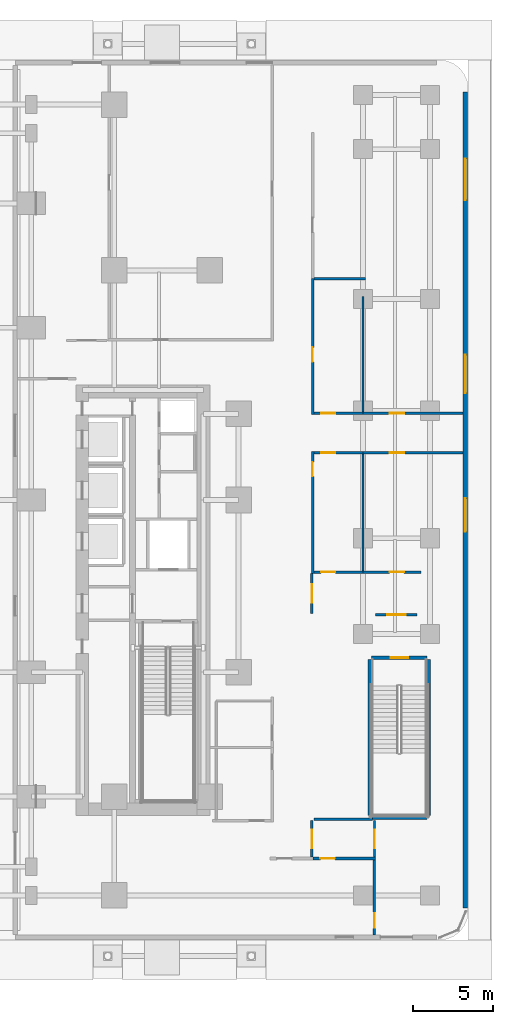
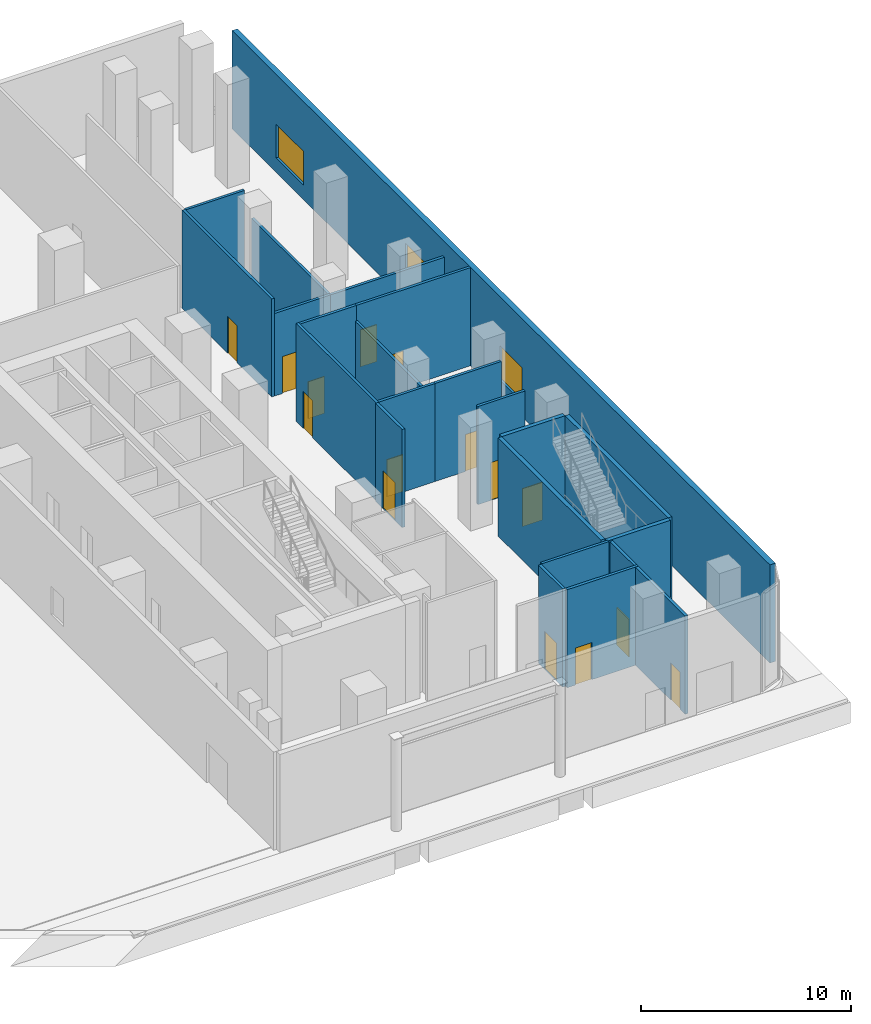
# One storey, part 13 of 22: 23 walls, 15 doors, 3 windows, 18 openings.
"""IFC4 building model written with IfcOpenShell, lengths in metres."""

from ifc_helpers import new_model, si_unit, direction, frame, frame_2d, origin, place, context, subcontext, project, spatial, rectangle, extrude, material, layer, layer_set, type_object, element, fill, save


model = new_model("IFC4")

# Units and contexts
model_context = context("Model", 3, precision=1e-05, world=origin(), true_north=direction((0.0, 1.0)))
body_context = subcontext(model_context, "Body", "Model", "MODEL_VIEW")
ifc_project = project(units=[si_unit("LENGTHUNIT", "METRE"), si_unit("AREAUNIT", "SQUARE_METRE"), si_unit("VOLUMEUNIT", "CUBIC_METRE"), si_unit("PLANEANGLEUNIT", "RADIAN"), si_unit("MASSUNIT", "GRAM", prefix="KILO")], contexts=[model_context])

# Site, building, storey
site_placement = place(None, origin())
site = spatial("IfcSite", under=ifc_project, at=site_placement, CompositionType="ELEMENT")
building_placement = place(site_placement, origin())
building = spatial("IfcBuilding", under=site, at=building_placement, Name="Khairoan Windgate Tower", CompositionType="ELEMENT")
storey_placement = place(building_placement, origin())
storey = spatial("IfcBuildingStorey", under=building, at=storey_placement, Name="L01", CompositionType="ELEMENT", Elevation=0.0)

# Wall, openings, windows
ifc_material_1 = material(Name="Precast Concrete C40/50", Category="concrete")
ifc_layer_1 = layer(ifc_material_1, 0.300048828125, Name="Precast Concrete C40/50")
ifc_layer_set_1 = layer_set([ifc_layer_1], Name="Precast Concrete C40/50")
wall_type_1 = type_object("IfcWallType", Name="Insulated Precast Spandrel Facade Wall EW1 300mm", PredefinedType="STANDARD", material=ifc_layer_set_1)
wall_1_placement = place(storey_placement, frame((36.419921875, 25.60009765625, 0.0), z_axis=(0.0, 0.0, 1.0), x_axis=(0.0, -1.0, 0.0)))
wall_1 = element("IfcWall", 1, at=wall_1_placement, inside=storey, type_object=wall_type_1, Name="Ground Facade Wall EW-L01-EE", PredefinedType="STANDARD", context=body_context, shape_type="SweptSolid", body=[
    extrude(rectangle(XDim=51.2001953125, YDim=0.300048828125, at=frame_2d((25.60009765625, 0.0))), origin(), (0.0, 0.0, 1.0), 5.699951171875),
])
opening_1_placement = place(wall_1_placement, frame((4.199951171875, 0.0, 0.85009765625)))
opening_1 = element("IfcOpeningElement", 2, at=opening_1_placement, cuts=wall_1, Name="Opening WN-08", PredefinedType="OPENING", context=body_context, shape_type="SweptSolid", body=[
    extrude(rectangle(XDim=2.60009765625, YDim=1.949951171875, at=frame_2d((1.300048828125, 0.97509765625))), frame((0.0, 0.159912109375, 0.0), z_axis=(0.0, -1.0, 0.0), x_axis=(1.0, 0.0, 0.0)), (0.0, 0.0, 1.0), 0.320068359375),
])
opening_2_placement = place(wall_1_placement, frame((16.5, 0.0, 0.85009765625)))
opening_2 = element("IfcOpeningElement", 3, at=opening_2_placement, cuts=wall_1, Name="Opening WN-01", PredefinedType="OPENING", context=body_context, shape_type="SweptSolid", body=[
    extrude(rectangle(XDim=2.39990234375, YDim=2.5, at=frame_2d((1.199951171875, 1.25))), frame((0.0, 0.159912109375, 0.0), z_axis=(0.0, -1.0, 0.0), x_axis=(1.0, 0.0, 0.0)), (0.0, 0.0, 1.0), 0.320068359375),
])
opening_3_placement = place(wall_1_placement, frame((25.5, 0.0, 0.85009765625)))
opening_3 = element("IfcOpeningElement", 4, at=opening_3_placement, cuts=wall_1, Name="Opening WN-02", PredefinedType="OPENING", context=body_context, shape_type="SweptSolid", body=[
    extrude(rectangle(XDim=2.10009765625, YDim=2.0, at=frame_2d((1.050048828125, 1.0))), frame((0.0, 0.159912109375, 0.0), z_axis=(0.0, -1.0, 0.0), x_axis=(1.0, 0.0, 0.0)), (0.0, 0.0, 1.0), 0.320068359375),
])
ifc_material_2 = material(Name="Low-E Solar Control Laminated Glass", Category="glass")
window_type_1 = type_object("IfcWindowType", Name="Window WN-01 2400x2500", PartitioningType="TRIPLE_PANEL_HORIZONTAL", PredefinedType="WINDOW", material=ifc_material_2)
window_1_placement = place(opening_2_placement, origin())
window_1 = element("IfcWindow", 5, at=window_1_placement, inside=storey, type_object=window_type_1, Name="L01 Facade Window 09", OverallHeight=2.5, OverallWidth=2.39990234375, PartitioningType="SINGLE_PANEL", PredefinedType="WINDOW", context=body_context, shape_type="SweptSolid", body=[
    extrude(rectangle(XDim=2.39990234375, YDim=2.5, at=frame_2d((1.199951171875, 1.25))), frame((0.0, 0.030029296875, 0.0), z_axis=(0.0, -1.0, 0.0), x_axis=(1.0, 0.0, 0.0)), (0.0, 0.0, 1.0), 0.06005859375),
])
fill(opening_2, window_1)
ifc_material_3 = material(Name="Low-E Solar Control Laminated Glass", Category="glass")
window_type_2 = type_object("IfcWindowType", Name="Window WN-02 2100x2000", PartitioningType="DOUBLE_PANEL_VERTICAL", PredefinedType="WINDOW", material=ifc_material_3)
window_2_placement = place(opening_3_placement, origin())
window_2 = element("IfcWindow", 6, at=window_2_placement, inside=storey, type_object=window_type_2, Name="L01 Facade Window 10", OverallHeight=2.0, OverallWidth=2.10009765625, PartitioningType="SINGLE_PANEL", PredefinedType="WINDOW", context=body_context, shape_type="SweptSolid", body=[
    extrude(rectangle(XDim=2.10009765625, YDim=2.0, at=frame_2d((1.050048828125, 1.0))), frame((0.0, 0.030029296875, 0.0), z_axis=(0.0, -1.0, 0.0), x_axis=(1.0, 0.0, 0.0)), (0.0, 0.0, 1.0), 0.06005859375),
])
fill(opening_3, window_2)
ifc_material_4 = material(Name="Low-E Solar Control Laminated Glass", Category="glass")
window_type_3 = type_object("IfcWindowType", Name="Window WN-08 2600x1950", PartitioningType="DOUBLE_PANEL_VERTICAL", PredefinedType="WINDOW", material=ifc_material_4)
window_3_placement = place(opening_1_placement, origin())
window_3 = element("IfcWindow", 7, at=window_3_placement, inside=storey, type_object=window_type_3, Name="L01 Facade Window 08", OverallHeight=1.949951171875, OverallWidth=2.60009765625, PartitioningType="SINGLE_PANEL", PredefinedType="WINDOW", context=body_context, shape_type="SweptSolid", body=[
    extrude(rectangle(XDim=2.60009765625, YDim=1.949951171875, at=frame_2d((1.300048828125, 0.97509765625))), frame((0.0, 0.030029296875, 0.0), z_axis=(0.0, -1.0, 0.0), x_axis=(1.0, 0.0, 0.0)), (0.0, 0.0, 1.0), 0.06005859375),
])
fill(opening_1, window_3)

# Walls
ifc_material_5 = material(Name="Acoustic Fire-Rated Gypsum Partition", Category="gypsum")
ifc_layer_2 = layer(ifc_material_5, 0.139892578125, Name="Acoustic Fire-Rated Gypsum Partition")
ifc_layer_set_2 = layer_set([ifc_layer_2], Name="Acoustic Fire-Rated Gypsum Partition")
wall_type_2 = type_object("IfcWallType", Name="Inter-Tenancy Compartment Wall", PredefinedType="PARTITIONING", material=ifc_layer_set_2)
wall_2_placement = place(storey_placement, frame((30.0, -4.445068359375, 0.0), z_axis=(0.0, 0.0, 1.0), x_axis=(0.0, 1.0, 0.0)))
element("IfcWall", 8, at=wall_2_placement, inside=storey, type_object=wall_type_2, Name="L01 Interior Partition 044", PredefinedType="PARTITIONING", context=body_context, shape_type="SweptSolid", body=[
    extrude(rectangle(XDim=7.330078125, YDim=0.139892578125, at=frame_2d((3.6650390625, 0.0))), origin(), (0.0, 0.0, 1.0), 4.800048828125),
])
wall_3_placement = place(storey_placement, frame((30.0, 5.514892578125, 0.0), z_axis=(0.0, 0.0, 1.0), x_axis=(0.0, 1.0, 0.0)))
element("IfcWall", 9, at=wall_3_placement, inside=storey, type_object=wall_type_2, Name="L01 Interior Partition 045", PredefinedType="PARTITIONING", context=body_context, shape_type="SweptSolid", body=[
    extrude(rectangle(XDim=7.2451171875, YDim=0.139892578125, at=frame_2d((3.62255859375, 0.0))), origin(), (0.0, 0.0, 1.0), 4.800048828125),
])
wall_4_placement = place(storey_placement, frame((26.9150390625, 13.8798828125, 0.0), z_axis=(0.0, 0.0, 1.0), x_axis=(1.0, 0.0, 0.0)))
element("IfcWall", 10, at=wall_4_placement, inside=storey, type_object=wall_type_2, Name="L01 Interior Partition 046", PredefinedType="PARTITIONING", context=body_context, shape_type="SweptSolid", body=[
    extrude(rectangle(XDim=3.244873046875, YDim=0.139892578125, at=frame_2d((1.62255859375, 0.0))), origin(), (0.0, 0.0, 1.0), 5.699951171875),
])

# Wall, opening, door
ifc_material_6 = material(Name="Concrete C40/50", Category="concrete")
ifc_layer_3 = layer(ifc_material_6, 0.159912109375, Name="Concrete C40/50")
ifc_layer_set_3 = layer_set([ifc_layer_3], Name="Concrete C40/50")
wall_type_3 = type_object("IfcWallType", Name="Plant and Refuge Compartment Wall", PredefinedType="PARTITIONING", material=ifc_layer_set_3)
wall_5_placement = place(storey_placement, frame((26.875, -22.47998046875, 0.0), z_axis=(0.0, 0.0, 1.0), x_axis=(1.0, 0.0, 0.0)))
wall_5 = element("IfcWall", 11, at=wall_5_placement, inside=storey, type_object=wall_type_3, Name="L01 Interior Partition 039", PredefinedType="PARTITIONING", context=body_context, shape_type="SweptSolid", body=[
    extrude(rectangle(XDim=3.925048828125, YDim=0.159912109375, at=frame_2d((1.96240234375, 0.0))), origin(), (0.0, 0.0, 1.0), 5.699951171875),
])
opening_4_placement = place(wall_5_placement, frame((0.4599609375, 0.0, 0.0)))
opening_4 = element("IfcOpeningElement", 12, at=opening_4_placement, cuts=wall_5, Name="Opening FD-ENT", PredefinedType="OPENING", context=body_context, shape_type="SweptSolid", body=[
    extrude(rectangle(XDim=0.89990234375, YDim=2.14990234375, at=frame_2d((0.449951171875, 1.074951171875))), frame((0.0, 0.08984375, 0.0), z_axis=(0.0, -1.0, 0.0), x_axis=(1.0, 0.0, 0.0)), (0.0, 0.0, 1.0), 0.179931640625),
])
ifc_material_7 = material(Name="Timber Fire-Rated Core", Category="wood")
door_type_1 = type_object("IfcDoorType", Name="Unit and Office Fire Entrance Door FD-ENT 900x2150", OperationType="NOTDEFINED", PredefinedType="DOOR", material=ifc_material_7)
door_1_placement = place(opening_4_placement, origin())
door_1 = element("IfcDoor", 13, at=door_1_placement, inside=storey, type_object=door_type_1, Name="L01 L01-54-L01-59 Door", OperationType="SINGLE_SWING_RIGHT", OverallHeight=2.14990234375, OverallWidth=0.89990234375, PredefinedType="DOOR", context=body_context, shape_type="SweptSolid", body=[
    extrude(rectangle(XDim=0.89990234375, YDim=2.14990234375, at=frame_2d((0.449951171875, 1.074951171875))), frame((0.0, 0.02490234375, 0.0), z_axis=(0.0, -1.0, 0.0), x_axis=(1.0, 0.0, 0.0)), (0.0, 0.0, 1.0), 0.050048828125),
])
fill(opening_4, door_1)

wall_6_placement = place(storey_placement, frame((30.719970703125, -27.27001953125, 0.0), z_axis=(0.0, 0.0, 1.0), x_axis=(0.0, 1.0, 0.0)))
wall_6 = element("IfcWall", 14, at=wall_6_placement, inside=storey, type_object=wall_type_3, Name="L01 Interior Partition 040", PredefinedType="PARTITIONING", context=body_context, shape_type="SweptSolid", body=[
    extrude(rectangle(XDim=4.7099609375, YDim=0.159912109375, at=frame_2d((2.35498046875, 0.0))), origin(), (0.0, 0.0, 1.0), 5.699951171875),
])
opening_5_placement = place(wall_6_placement, frame((0.4599609375, 0.0, 0.0)))
opening_5 = element("IfcOpeningElement", 15, at=opening_5_placement, cuts=wall_6, Name="Opening FD-ENT", PredefinedType="OPENING", context=body_context, shape_type="SweptSolid", body=[
    extrude(rectangle(XDim=0.89990234375, YDim=2.14990234375, at=frame_2d((0.449951171875, 1.074951171875))), frame((0.0, 0.08984375, 0.0), z_axis=(0.0, -1.0, 0.0), x_axis=(1.0, 0.0, 0.0)), (0.0, 0.0, 1.0), 0.179931640625),
])
door_2_placement = place(opening_5_placement, origin())
door_2 = element("IfcDoor", 16, at=door_2_placement, inside=storey, type_object=door_type_1, Name="L01 L01-55-L01-59 Door", OperationType="SINGLE_SWING_LEFT", OverallHeight=2.14990234375, OverallWidth=0.89990234375, PredefinedType="DOOR", context=body_context, shape_type="SweptSolid", body=[
    extrude(rectangle(XDim=0.89990234375, YDim=2.14990234375, at=frame_2d((0.449951171875, 1.074951171875))), frame((0.0, 0.02490234375, 0.0), z_axis=(0.0, -1.0, 0.0), x_axis=(1.0, 0.0, 0.0)), (0.0, 0.0, 1.0), 0.050048828125),
])
fill(opening_5, door_2)

ifc_material_8 = material(Name="Acoustic Fire-Rated Gypsum Partition", Category="gypsum")
ifc_layer_4 = layer(ifc_material_8, 0.14990234375, Name="Acoustic Fire-Rated Gypsum Partition")
ifc_layer_set_4 = layer_set([ifc_layer_4], Name="Acoustic Fire-Rated Gypsum Partition")
wall_type_4 = type_object("IfcWallType", Name="Rated Corridor Partition Wall", PredefinedType="PARTITIONING", material=ifc_layer_set_4)
wall_7_placement = place(storey_placement, frame((30.800048828125, -7.199951171875, 0.0), z_axis=(0.0, 0.0, 1.0), x_axis=(1.0, 0.0, 0.0)))
wall_7 = element("IfcWall", 17, at=wall_7_placement, inside=storey, type_object=wall_type_4, Name="L01 Protected Exit Wall PW-EX-S3A-L01", PredefinedType="PARTITIONING", context=body_context, shape_type="SweptSolid", body=[
    extrude(rectangle(XDim=2.599853515625, YDim=0.14990234375, at=frame_2d((1.2998046875, 0.0))), origin(), (0.0, 0.0, 1.0), 5.699951171875),
])
opening_6_placement = place(wall_7_placement, frame((0.72509765625, 0.0, 0.0)))
opening_6 = element("IfcOpeningElement", 18, at=opening_6_placement, cuts=wall_7, Name="Opening FD-FFL", PredefinedType="OPENING", context=body_context, shape_type="SweptSolid", body=[
    extrude(rectangle(XDim=1.14990234375, YDim=2.199951171875, at=frame_2d((0.574951171875, 1.10009765625))), frame((0.0, 0.0849609375, 0.0), z_axis=(0.0, -1.0, 0.0), x_axis=(1.0, 0.0, 0.0)), (0.0, 0.0, 1.0), 0.169921875),
])
ifc_material_9 = material(Name="Steel S355", Category="steel")
door_type_2 = type_object("IfcDoorType", Name="Firefighting Lobby Fire Door FD-FFL 1150x2200", OperationType="NOTDEFINED", PredefinedType="DOOR", material=ifc_material_9)
door_3_placement = place(opening_6_placement, origin())
door_3 = element("IfcDoor", 19, at=door_3_placement, inside=storey, type_object=door_type_2, Name="L01 Stair ST3 Vestibule Exit Fire Door", OperationType="SINGLE_SWING_RIGHT", OverallHeight=2.199951171875, OverallWidth=1.14990234375, PredefinedType="DOOR", context=body_context, shape_type="SweptSolid", body=[
    extrude(rectangle(XDim=1.14990234375, YDim=2.199951171875, at=frame_2d((0.574951171875, 1.10009765625))), frame((0.0, 0.02490234375, 0.0), z_axis=(0.0, -1.0, 0.0), x_axis=(1.0, 0.0, 0.0)), (0.0, 0.0, 1.0), 0.050048828125),
])
fill(opening_6, door_3)

wall_8_placement = place(storey_placement, frame((26.800048828125, -7.1201171875, 0.0), z_axis=(0.0, 0.0, 1.0), x_axis=(0.0, 1.0, 0.0)))
wall_8 = element("IfcWall", 20, at=wall_8_placement, inside=storey, type_object=wall_type_4, Name="L01 Protected Exit Wall PW-EX-S3B-L01", PredefinedType="PARTITIONING", context=body_context, shape_type="SweptSolid", body=[
    extrude(rectangle(XDim=2.52001953125, YDim=0.14990234375, at=frame_2d((1.260009765625, 0.0))), origin(), (0.0, 0.0, 1.0), 5.699951171875),
])
opening_7_placement = place(wall_8_placement, frame((0.68505859375, 0.0, 0.0)))
opening_7 = element("IfcOpeningElement", 21, at=opening_7_placement, cuts=wall_8, Name="Opening FD-FFL", PredefinedType="OPENING", context=body_context, shape_type="SweptSolid", body=[
    extrude(rectangle(XDim=1.14990234375, YDim=2.199951171875, at=frame_2d((0.574951171875, 1.10009765625))), frame((0.0, 0.0849609375, 0.0), z_axis=(0.0, -1.0, 0.0), x_axis=(1.0, 0.0, 0.0)), (0.0, 0.0, 1.0), 0.169921875),
])
door_4_placement = place(opening_7_placement, origin())
door_4 = element("IfcDoor", 22, at=door_4_placement, inside=storey, type_object=door_type_2, Name="L01 East Wing Exit Corridor Fire Door", OperationType="SINGLE_SWING_LEFT", OverallHeight=2.199951171875, OverallWidth=1.14990234375, PredefinedType="DOOR", context=body_context, shape_type="SweptSolid", body=[
    extrude(rectangle(XDim=1.14990234375, YDim=2.199951171875, at=frame_2d((0.574951171875, 1.10009765625))), frame((0.0, 0.02490234375, 0.0), z_axis=(0.0, -1.0, 0.0), x_axis=(1.0, 0.0, 0.0)), (0.0, 0.0, 1.0), 0.050048828125),
])
fill(opening_7, door_4)

wall_9_placement = place(storey_placement, frame((26.800048828125, -22.39990234375, 0.0), z_axis=(0.0, 0.0, 1.0), x_axis=(0.0, 1.0, 0.0)))
wall_9 = element("IfcWall", 23, at=wall_9_placement, inside=storey, type_object=wall_type_4, Name="L01 Protected Exit Wall PW-EX-S3C-L01", PredefinedType="PARTITIONING", context=body_context, shape_type="SweptSolid", body=[
    extrude(rectangle(XDim=2.2998046875, YDim=0.14990234375, at=frame_2d((1.14990234375, 0.0))), origin(), (0.0, 0.0, 1.0), 5.699951171875),
])
opening_8_placement = place(wall_9_placement, frame((0.574951171875, 0.0, 0.0)))
opening_8 = element("IfcOpeningElement", 24, at=opening_8_placement, cuts=wall_9, Name="Opening FD-FFL", PredefinedType="OPENING", context=body_context, shape_type="SweptSolid", body=[
    extrude(rectangle(XDim=1.14990234375, YDim=2.199951171875, at=frame_2d((0.574951171875, 1.10009765625))), frame((0.0, 0.0849609375, 0.0), z_axis=(0.0, -1.0, 0.0), x_axis=(1.0, 0.0, 0.0)), (0.0, 0.0, 1.0), 0.169921875),
])
door_5_placement = place(opening_8_placement, origin())
door_5 = element("IfcDoor", 25, at=door_5_placement, inside=storey, type_object=door_type_2, Name="L01 East South Cross-Passage Entry Fire Door", OperationType="SINGLE_SWING_RIGHT", OverallHeight=2.199951171875, OverallWidth=1.14990234375, PredefinedType="DOOR", context=body_context, shape_type="SweptSolid", body=[
    extrude(rectangle(XDim=1.14990234375, YDim=2.199951171875, at=frame_2d((0.574951171875, 1.10009765625))), frame((0.0, 0.02490234375, 0.0), z_axis=(0.0, -1.0, 0.0), x_axis=(1.0, 0.0, 0.0)), (0.0, 0.0, 1.0), 0.050048828125),
])
fill(opening_8, door_5)

wall_10_placement = place(storey_placement, frame((30.719970703125, -22.39990234375, 0.0), z_axis=(0.0, 0.0, 1.0), x_axis=(0.0, 1.0, 0.0)))
wall_10 = element("IfcWall", 26, at=wall_10_placement, inside=storey, type_object=wall_type_4, Name="L01 Protected Exit Wall PW-EX-S3D-L01", PredefinedType="PARTITIONING", context=body_context, shape_type="SweptSolid", body=[
    extrude(rectangle(XDim=2.2998046875, YDim=0.14990234375, at=frame_2d((1.14990234375, 0.0))), origin(), (0.0, 0.0, 1.0), 5.699951171875),
])
opening_9_placement = place(wall_10_placement, frame((0.574951171875, 0.0, 0.0)))
opening_9 = element("IfcOpeningElement", 27, at=opening_9_placement, cuts=wall_10, Name="Opening FD-FFL", PredefinedType="OPENING", context=body_context, shape_type="SweptSolid", body=[
    extrude(rectangle(XDim=1.14990234375, YDim=2.199951171875, at=frame_2d((0.574951171875, 1.10009765625))), frame((0.0, 0.0849609375, 0.0), z_axis=(0.0, -1.0, 0.0), x_axis=(1.0, 0.0, 0.0)), (0.0, 0.0, 1.0), 0.169921875),
])
door_6_placement = place(opening_9_placement, origin())
door_6 = element("IfcDoor", 28, at=door_6_placement, inside=storey, type_object=door_type_2, Name="L01 East Boulevard Passage Fire Door", OperationType="SINGLE_SWING_LEFT", OverallHeight=2.199951171875, OverallWidth=1.14990234375, PredefinedType="DOOR", context=body_context, shape_type="SweptSolid", body=[
    extrude(rectangle(XDim=1.14990234375, YDim=2.199951171875, at=frame_2d((0.574951171875, 1.10009765625))), frame((0.0, 0.02490234375, 0.0), z_axis=(0.0, -1.0, 0.0), x_axis=(1.0, 0.0, 0.0)), (0.0, 0.0, 1.0), 0.050048828125),
])
fill(opening_9, door_6)

# Wall
wall_11_placement = place(storey_placement, frame((26.919921875, -20.02001953125, 0.0), z_axis=(0.0, 0.0, 1.0), x_axis=(1.0, 0.0, 0.0)))
element("IfcWall", 29, at=wall_11_placement, inside=storey, type_object=wall_type_4, Name="L01 Protected Exit Wall PW-EX-EN-L01", PredefinedType="PARTITIONING", context=body_context, shape_type="SweptSolid", body=[
    extrude(rectangle(XDim=3.68017578125, YDim=0.14990234375, at=frame_2d((1.840087890625, 0.0))), origin(), (0.0, 0.0, 1.0), 5.699951171875),
])

# Wall, opening, door
wall_12_placement = place(storey_placement, frame((26.840087890625, -4.594970703125, 0.0), z_axis=(0.0, 0.0, 1.0), x_axis=(0.0, 1.0, 0.0)))
wall_12 = element("IfcWall", 30, at=wall_12_placement, inside=storey, type_object=wall_type_4, Name="L01 Interior Partition 027", PredefinedType="PARTITIONING", context=body_context, shape_type="SweptSolid", body=[
    extrude(rectangle(XDim=7.6298828125, YDim=0.14990234375, at=frame_2d((3.81494140625, 0.0))), origin(), (0.0, 0.0, 1.0), 5.699951171875),
])
opening_10_placement = place(wall_12_placement, frame((6.069580078125, 0.0, 0.0)))
opening_10 = element("IfcOpeningElement", 31, at=opening_10_placement, cuts=wall_12, Name="Opening FD-ENT", PredefinedType="OPENING", context=body_context, shape_type="SweptSolid", body=[
    extrude(rectangle(XDim=0.89990234375, YDim=2.14990234375, at=frame_2d((0.449951171875, 1.074951171875))), frame((0.0, 0.0849609375, 0.0), z_axis=(0.0, -1.0, 0.0), x_axis=(1.0, 0.0, 0.0)), (0.0, 0.0, 1.0), 0.169921875),
])
door_7_placement = place(opening_10_placement, origin())
door_7 = element("IfcDoor", 32, at=door_7_placement, inside=storey, type_object=door_type_1, Name="L01 L01-50-L01-60 Door", OperationType="SINGLE_SWING_RIGHT", OverallHeight=2.14990234375, OverallWidth=0.89990234375, PredefinedType="DOOR", context=body_context, shape_type="SweptSolid", body=[
    extrude(rectangle(XDim=0.89990234375, YDim=2.14990234375, at=frame_2d((0.449951171875, 1.074951171875))), frame((0.0, 0.02490234375, 0.0), z_axis=(0.0, -1.0, 0.0), x_axis=(1.0, 0.0, 0.0)), (0.0, 0.0, 1.0), 0.050048828125),
])
fill(opening_10, door_7)

wall_13_placement = place(storey_placement, frame((26.840087890625, 5.364990234375, 0.0), z_axis=(0.0, 0.0, 1.0), x_axis=(0.0, 1.0, 0.0)))
wall_13 = element("IfcWall", 33, at=wall_13_placement, inside=storey, type_object=wall_type_4, Name="L01 Interior Partition 028", PredefinedType="PARTITIONING", context=body_context, shape_type="SweptSolid", body=[
    extrude(rectangle(XDim=8.514892578125, YDim=0.14990234375, at=frame_2d((4.25732421875, 0.0))), origin(), (0.0, 0.0, 1.0), 5.699951171875),
])
opening_11_placement = place(wall_13_placement, frame((3.30029296875, 0.0, 0.0)))
opening_11 = element("IfcOpeningElement", 34, at=opening_11_placement, cuts=wall_13, Name="Opening FD-ENT", PredefinedType="OPENING", context=body_context, shape_type="SweptSolid", body=[
    extrude(rectangle(XDim=0.89990234375, YDim=2.14990234375, at=frame_2d((0.449951171875, 1.074951171875))), frame((0.0, 0.0849609375, 0.0), z_axis=(0.0, -1.0, 0.0), x_axis=(1.0, 0.0, 0.0)), (0.0, 0.0, 1.0), 0.169921875),
])
door_8_placement = place(opening_11_placement, origin())
door_8 = element("IfcDoor", 35, at=door_8_placement, inside=storey, type_object=door_type_1, Name="L01 L01-50-L01-62 Door", OperationType="SINGLE_SWING_LEFT", OverallHeight=2.14990234375, OverallWidth=0.89990234375, PredefinedType="DOOR", context=body_context, shape_type="SweptSolid", body=[
    extrude(rectangle(XDim=0.89990234375, YDim=2.14990234375, at=frame_2d((0.449951171875, 1.074951171875))), frame((0.0, 0.02490234375, 0.0), z_axis=(0.0, -1.0, 0.0), x_axis=(1.0, 0.0, 0.0)), (0.0, 0.0, 1.0), 0.050048828125),
])
fill(opening_11, door_8)

wall_14_placement = place(storey_placement, frame((26.9150390625, -4.52001953125, 0.0), z_axis=(0.0, 0.0, 1.0), x_axis=(1.0, 0.0, 0.0)))
wall_14 = element("IfcWall", 36, at=wall_14_placement, inside=storey, type_object=wall_type_4, Name="L01 Interior Partition 033", PredefinedType="PARTITIONING", context=body_context, shape_type="SweptSolid", body=[
    extrude(rectangle(XDim=3.0849609375, YDim=0.14990234375, at=frame_2d((1.54248046875, 0.0))), origin(), (0.0, 0.0, 1.0), 5.699951171875),
])
opening_12_placement = place(wall_14_placement, frame((0.4599609375, 0.0, 0.0)))
opening_12 = element("IfcOpeningElement", 37, at=opening_12_placement, cuts=wall_14, Name="Opening FD-ENT", PredefinedType="OPENING", context=body_context, shape_type="SweptSolid", body=[
    extrude(rectangle(XDim=0.89990234375, YDim=2.14990234375, at=frame_2d((0.449951171875, 1.074951171875))), frame((0.0, 0.0849609375, 0.0), z_axis=(0.0, -1.0, 0.0), x_axis=(1.0, 0.0, 0.0)), (0.0, 0.0, 1.0), 0.169921875),
])
door_9_placement = place(opening_12_placement, origin())
door_9 = element("IfcDoor", 38, at=door_9_placement, inside=storey, type_object=door_type_1, Name="L01 L01-51-L01-60 Door", OperationType="SINGLE_SWING_RIGHT", OverallHeight=2.14990234375, OverallWidth=0.89990234375, PredefinedType="DOOR", context=body_context, shape_type="SweptSolid", body=[
    extrude(rectangle(XDim=0.89990234375, YDim=2.14990234375, at=frame_2d((0.449951171875, 1.074951171875))), frame((0.0, 0.02490234375, 0.0), z_axis=(0.0, -1.0, 0.0), x_axis=(1.0, 0.0, 0.0)), (0.0, 0.0, 1.0), 0.050048828125),
])
fill(opening_12, door_9)

wall_15_placement = place(storey_placement, frame((30.0, -4.52001953125, 0.0), z_axis=(0.0, 0.0, 1.0), x_axis=(1.0, 0.0, 0.0)))
wall_15 = element("IfcWall", 39, at=wall_15_placement, inside=storey, type_object=wall_type_4, Name="L01 Interior Partition 034", PredefinedType="PARTITIONING", context=body_context, shape_type="SweptSolid", body=[
    extrude(rectangle(XDim=3.639892578125, YDim=0.14990234375, at=frame_2d((1.81982421875, 0.0))), origin(), (0.0, 0.0, 1.0), 5.699951171875),
])
opening_13_placement = place(wall_15_placement, frame((1.67333984375, 0.0, 0.0)))
opening_13 = element("IfcOpeningElement", 40, at=opening_13_placement, cuts=wall_15, Name="Opening FD-ENT", PredefinedType="OPENING", context=body_context, shape_type="SweptSolid", body=[
    extrude(rectangle(XDim=0.89990234375, YDim=2.14990234375, at=frame_2d((0.449951171875, 1.074951171875))), frame((0.0, 0.0849609375, 0.0), z_axis=(0.0, -1.0, 0.0), x_axis=(1.0, 0.0, 0.0)), (0.0, 0.0, 1.0), 0.169921875),
])
door_10_placement = place(opening_13_placement, origin())
door_10 = element("IfcDoor", 41, at=door_10_placement, inside=storey, type_object=door_type_1, Name="L01 L01-51-L01-61 Door", OperationType="SINGLE_SWING_LEFT", OverallHeight=2.14990234375, OverallWidth=0.89990234375, PredefinedType="DOOR", context=body_context, shape_type="SweptSolid", body=[
    extrude(rectangle(XDim=0.89990234375, YDim=2.14990234375, at=frame_2d((0.449951171875, 1.074951171875))), frame((0.0, 0.02490234375, 0.0), z_axis=(0.0, -1.0, 0.0), x_axis=(1.0, 0.0, 0.0)), (0.0, 0.0, 1.0), 0.050048828125),
])
fill(opening_13, door_10)

wall_16_placement = place(storey_placement, frame((26.9150390625, 2.9599609375, 0.0), z_axis=(0.0, 0.0, 1.0), x_axis=(1.0, 0.0, 0.0)))
wall_16 = element("IfcWall", 42, at=wall_16_placement, inside=storey, type_object=wall_type_4, Name="L01 Interior Partition 035", PredefinedType="PARTITIONING", context=body_context, shape_type="SweptSolid", body=[
    extrude(rectangle(XDim=3.0849609375, YDim=0.14990234375, at=frame_2d((1.54248046875, 0.0))), origin(), (0.0, 0.0, 1.0), 5.699951171875),
])
opening_14_placement = place(wall_16_placement, frame((0.4599609375, 0.0, 0.0)))
opening_14 = element("IfcOpeningElement", 43, at=opening_14_placement, cuts=wall_16, Name="Opening FD-ENT", PredefinedType="OPENING", context=body_context, shape_type="SweptSolid", body=[
    extrude(rectangle(XDim=0.89990234375, YDim=2.14990234375, at=frame_2d((0.449951171875, 1.074951171875))), frame((0.0, 0.0849609375, 0.0), z_axis=(0.0, -1.0, 0.0), x_axis=(1.0, 0.0, 0.0)), (0.0, 0.0, 1.0), 0.169921875),
])
door_11_placement = place(opening_14_placement, origin())
door_11 = element("IfcDoor", 44, at=door_11_placement, inside=storey, type_object=door_type_1, Name="L01 L01-52-L01-60 Door", OperationType="SINGLE_SWING_RIGHT", OverallHeight=2.14990234375, OverallWidth=0.89990234375, PredefinedType="DOOR", context=body_context, shape_type="SweptSolid", body=[
    extrude(rectangle(XDim=0.89990234375, YDim=2.14990234375, at=frame_2d((0.449951171875, 1.074951171875))), frame((0.0, 0.02490234375, 0.0), z_axis=(0.0, -1.0, 0.0), x_axis=(1.0, 0.0, 0.0)), (0.0, 0.0, 1.0), 0.050048828125),
])
fill(opening_14, door_11)

wall_17_placement = place(storey_placement, frame((30.0, 2.9599609375, 0.0), z_axis=(0.0, 0.0, 1.0), x_axis=(1.0, 0.0, 0.0)))
wall_17 = element("IfcWall", 45, at=wall_17_placement, inside=storey, type_object=wall_type_4, Name="L01 Interior Partition 036", PredefinedType="PARTITIONING", context=body_context, shape_type="SweptSolid", body=[
    extrude(rectangle(XDim=6.27001953125, YDim=0.14990234375, at=frame_2d((3.135009765625, 0.0))), origin(), (0.0, 0.0, 1.0), 5.699951171875),
])
opening_15_placement = place(wall_17_placement, frame((1.673583984375, 0.0, 0.0)))
opening_15 = element("IfcOpeningElement", 46, at=opening_15_placement, cuts=wall_17, Name="Opening FD-ENT", PredefinedType="OPENING", context=body_context, shape_type="SweptSolid", body=[
    extrude(rectangle(XDim=0.89990234375, YDim=2.14990234375, at=frame_2d((0.449951171875, 1.074951171875))), frame((0.0, 0.0849609375, 0.0), z_axis=(0.0, -1.0, 0.0), x_axis=(1.0, 0.0, 0.0)), (0.0, 0.0, 1.0), 0.169921875),
])
door_12_placement = place(opening_15_placement, origin())
door_12 = element("IfcDoor", 47, at=door_12_placement, inside=storey, type_object=door_type_1, Name="L01 L01-52-L01-61 Door", OperationType="SINGLE_SWING_LEFT", OverallHeight=2.14990234375, OverallWidth=0.89990234375, PredefinedType="DOOR", context=body_context, shape_type="SweptSolid", body=[
    extrude(rectangle(XDim=0.89990234375, YDim=2.14990234375, at=frame_2d((0.449951171875, 1.074951171875))), frame((0.0, 0.02490234375, 0.0), z_axis=(0.0, -1.0, 0.0), x_axis=(1.0, 0.0, 0.0)), (0.0, 0.0, 1.0), 0.050048828125),
])
fill(opening_15, door_12)

wall_18_placement = place(storey_placement, frame((26.9150390625, 5.43994140625, 0.0), z_axis=(0.0, 0.0, 1.0), x_axis=(1.0, 0.0, 0.0)))
wall_18 = element("IfcWall", 48, at=wall_18_placement, inside=storey, type_object=wall_type_4, Name="L01 Interior Partition 037", PredefinedType="PARTITIONING", context=body_context, shape_type="SweptSolid", body=[
    extrude(rectangle(XDim=3.0849609375, YDim=0.14990234375, at=frame_2d((1.54248046875, 0.0))), origin(), (0.0, 0.0, 1.0), 4.800048828125),
])
opening_16_placement = place(wall_18_placement, frame((0.4599609375, 0.0, 0.0)))
opening_16 = element("IfcOpeningElement", 49, at=opening_16_placement, cuts=wall_18, Name="Opening FD-ENT", PredefinedType="OPENING", context=body_context, shape_type="SweptSolid", body=[
    extrude(rectangle(XDim=0.89990234375, YDim=2.14990234375, at=frame_2d((0.449951171875, 1.074951171875))), frame((0.0, 0.0849609375, 0.0), z_axis=(0.0, -1.0, 0.0), x_axis=(1.0, 0.0, 0.0)), (0.0, 0.0, 1.0), 0.169921875),
])
door_13_placement = place(opening_16_placement, origin())
door_13 = element("IfcDoor", 50, at=door_13_placement, inside=storey, type_object=door_type_1, Name="L01 L01-52-L01-62 Door", OperationType="SINGLE_SWING_RIGHT", OverallHeight=2.14990234375, OverallWidth=0.89990234375, PredefinedType="DOOR", context=body_context, shape_type="SweptSolid", body=[
    extrude(rectangle(XDim=0.89990234375, YDim=2.14990234375, at=frame_2d((0.449951171875, 1.074951171875))), frame((0.0, 0.02490234375, 0.0), z_axis=(0.0, -1.0, 0.0), x_axis=(1.0, 0.0, 0.0)), (0.0, 0.0, 1.0), 0.050048828125),
])
fill(opening_16, door_13)

wall_19_placement = place(storey_placement, frame((30.0, 5.43994140625, 0.0), z_axis=(0.0, 0.0, 1.0), x_axis=(1.0, 0.0, 0.0)))
wall_19 = element("IfcWall", 51, at=wall_19_placement, inside=storey, type_object=wall_type_4, Name="L01 Interior Partition 038", PredefinedType="PARTITIONING", context=body_context, shape_type="SweptSolid", body=[
    extrude(rectangle(XDim=6.27001953125, YDim=0.14990234375, at=frame_2d((3.135009765625, 0.0))), origin(), (0.0, 0.0, 1.0), 4.800048828125),
])
opening_17_placement = place(wall_19_placement, frame((1.673583984375, 0.0, 0.0)))
opening_17 = element("IfcOpeningElement", 52, at=opening_17_placement, cuts=wall_19, Name="Opening FD-ENT", PredefinedType="OPENING", context=body_context, shape_type="SweptSolid", body=[
    extrude(rectangle(XDim=0.89990234375, YDim=2.14990234375, at=frame_2d((0.449951171875, 1.074951171875))), frame((0.0, 0.0849609375, 0.0), z_axis=(0.0, -1.0, 0.0), x_axis=(1.0, 0.0, 0.0)), (0.0, 0.0, 1.0), 0.169921875),
])
door_14_placement = place(opening_17_placement, origin())
door_14 = element("IfcDoor", 53, at=door_14_placement, inside=storey, type_object=door_type_1, Name="L01 L01-52-L01-63 Door", OperationType="SINGLE_SWING_LEFT", OverallHeight=2.14990234375, OverallWidth=0.89990234375, PredefinedType="DOOR", context=body_context, shape_type="SweptSolid", body=[
    extrude(rectangle(XDim=0.89990234375, YDim=2.14990234375, at=frame_2d((0.449951171875, 1.074951171875))), frame((0.0, 0.02490234375, 0.0), z_axis=(0.0, -1.0, 0.0), x_axis=(1.0, 0.0, 0.0)), (0.0, 0.0, 1.0), 0.050048828125),
])
fill(opening_17, door_14)

ifc_material_10 = material(Name="Concrete C50/60", Category="concrete")
ifc_layer_5 = layer(ifc_material_10, 0.219970703125, Name="Concrete C50/60")
ifc_layer_set_5 = layer_set([ifc_layer_5], Name="Concrete C50/60")
wall_type_5 = type_object("IfcWallType", Name="Shear Wall SW-ST 220mm", PredefinedType="SHEAR", material=ifc_layer_set_5)
wall_20_placement = place(storey_placement, frame((30.550048828125, -9.889892578125, 0.0), z_axis=(0.0, 0.0, 1.0), x_axis=(1.0, 0.0, 0.0)))
wall_20 = element("IfcWall", 54, at=wall_20_placement, inside=storey, type_object=wall_type_5, Name="L01 ST3 North Bearing Wall", PredefinedType="SHEAR", context=body_context, shape_type="SweptSolid", body=[
    extrude(rectangle(XDim=3.469970703125, YDim=0.219970703125, at=frame_2d((1.73486328125, 0.0))), origin(), (0.0, 0.0, 1.0), 5.699951171875),
])
opening_18_placement = place(wall_20_placement, frame((1.179931640625, 0.0, 0.0)))
opening_18 = element("IfcOpeningElement", 55, at=opening_18_placement, cuts=wall_20, Name="Opening FD-ST", PredefinedType="OPENING", context=body_context, shape_type="SweptSolid", body=[
    extrude(rectangle(XDim=1.10009765625, YDim=2.199951171875, at=frame_2d((0.550048828125, 1.10009765625))), frame((0.0, 0.119873046875, 0.0), z_axis=(0.0, -1.0, 0.0), x_axis=(1.0, 0.0, 0.0)), (0.0, 0.0, 1.0), 0.239990234375),
])
ifc_material_11 = material(Name="Steel S355", Category="steel")
door_type_3 = type_object("IfcDoorType", Name="Smokeproof Stair Fire Door FD-ST 1100x2200", OperationType="NOTDEFINED", PredefinedType="DOOR", material=ifc_material_11)
door_15_placement = place(opening_18_placement, origin())
door_15 = element("IfcDoor", 56, at=door_15_placement, inside=storey, type_object=door_type_3, Name="L01 Stair ST3 Fire Door", OperationType="SINGLE_SWING_LEFT", OverallHeight=2.199951171875, OverallWidth=1.10009765625, PredefinedType="DOOR", context=body_context, shape_type="SweptSolid", body=[
    extrude(rectangle(XDim=1.10009765625, YDim=2.199951171875, at=frame_2d((0.550048828125, 1.10009765625))), frame((0.0, 0.02490234375, 0.0), z_axis=(0.0, -1.0, 0.0), x_axis=(1.0, 0.0, 0.0)), (0.0, 0.0, 1.0), 0.050048828125),
])
fill(opening_18, door_15)

# Walls
wall_21_placement = place(storey_placement, frame((30.550048828125, -19.909912109375, 0.0), z_axis=(0.0, 0.0, 1.0), x_axis=(1.0, 0.0, 0.0)))
element("IfcWall", 57, at=wall_21_placement, inside=storey, type_object=wall_type_5, Name="L01 ST3 South Bearing Wall", PredefinedType="SHEAR", context=body_context, shape_type="SweptSolid", body=[
    extrude(rectangle(XDim=3.469970703125, YDim=0.219970703125, at=frame_2d((1.73486328125, 0.0))), origin(), (0.0, 0.0, 1.0), 5.699951171875),
])
for number, where, z_axis, x_axis, name in (
    (58, (30.43994140625, -19.800048828125, 0.0), (0.0, 0.0, 1.0), (0.0, 1.0, 0.0), "L01 ST3 West Bearing Wall"),
    (59, (34.1298828125, -19.800048828125, 0.0), (0.0, 0.0, 1.0), (0.0, 1.0, 0.0), "L01 ST3 East Bearing Wall"),
):
    element("IfcWall", number, at=place(storey_placement, frame(where, z_axis=z_axis, x_axis=x_axis)), inside=storey, type_object=wall_type_5, Name=name, PredefinedType="SHEAR", context=body_context, shape_type="SweptSolid", body=[
        extrude(rectangle(XDim=9.800048828125, YDim=0.219970703125, at=frame_2d((4.89990234375, 0.0))), origin(), (0.0, 0.0, 1.0), 5.699951171875),
    ])

save(model, "model.ifc")
